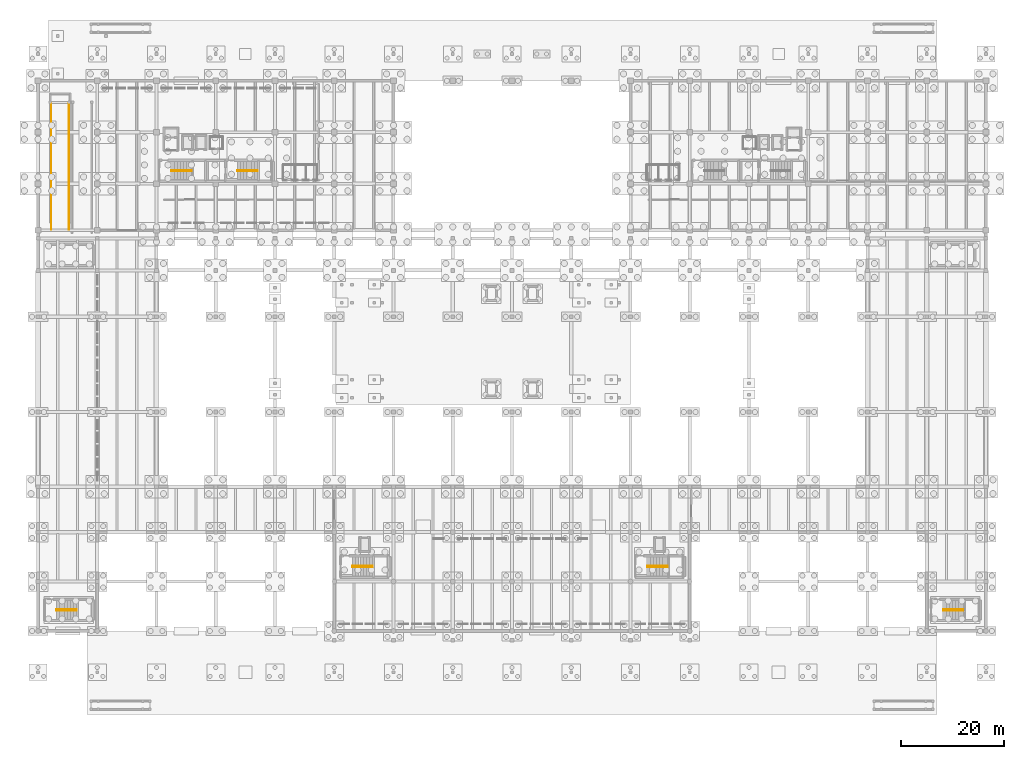
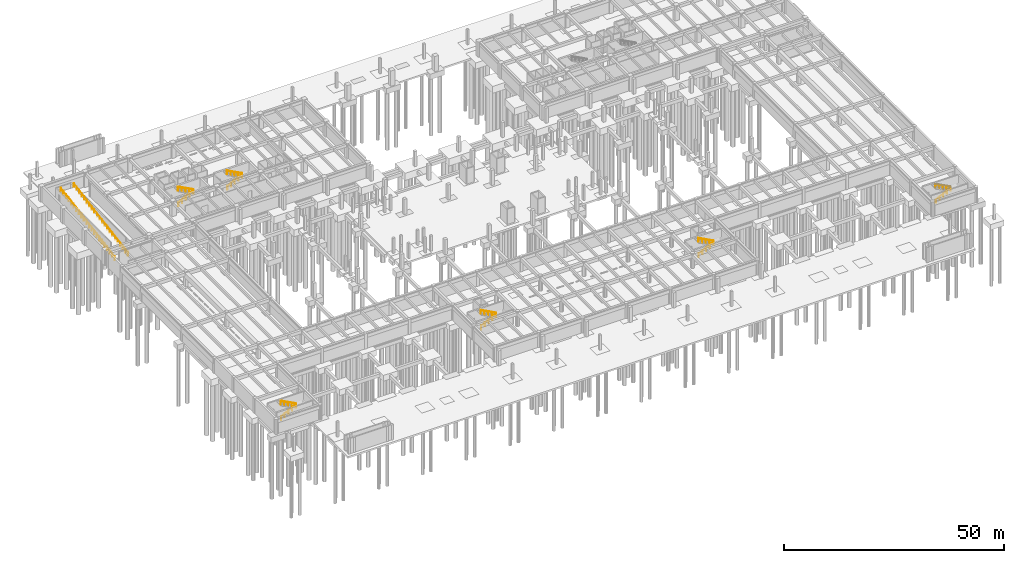
# One storey, part 26 of 28: 19 railings.
"""IFC4 building model written with IfcOpenShell, lengths in metres."""

from ifc_helpers import new_model, si_unit, direction, frame, origin, origin_2d, place, context, subcontext, project, spatial, circle, extrude, material, type_object, element, save


model = new_model("IFC4")

# Units and contexts
model_context = context("Model", 3, precision=1e-05, world=origin(), true_north=direction((0.0, 1.0)))
body_context = subcontext(model_context, "Body", "Model", "MODEL_VIEW")
ifc_project = project(units=[si_unit("LENGTHUNIT", "METRE"), si_unit("AREAUNIT", "SQUARE_METRE"), si_unit("VOLUMEUNIT", "CUBIC_METRE"), si_unit("PLANEANGLEUNIT", "RADIAN"), si_unit("MASSUNIT", "GRAM", prefix="KILO")], contexts=[model_context])

# Site, building, storey
site_placement = place(None, origin())
site = spatial("IfcSite", under=ifc_project, at=site_placement, CompositionType="ELEMENT")
building_placement = place(site_placement, origin())
building = spatial("IfcBuilding", under=site, at=building_placement, Name="Ologun Quay Terminus", CompositionType="ELEMENT")
storey_placement = place(building_placement, frame((0.0, 0.0, -8.39990234375)))
storey = spatial("IfcBuildingStorey", under=building, at=storey_placement, Name="B02", CompositionType="ELEMENT", Elevation=-8.39990234375)

# Railings
ifc_material_1 = material(Name="Steel S355", Category="steel")
railing_type_1 = type_object("IfcRailingType", Name="Stair & Landing Steel Guardrail 1100", PredefinedType="GUARDRAIL", material=ifc_material_1)
railing_1_placement = place(storey_placement, frame((25.85009765625, 97.25, 0.0)))
element("IfcRailing", 1, at=railing_1_placement, inside=storey, type_object=railing_type_1, Name="GR-ST Stair Inner Well Guard ST-W1 B02", PredefinedType="GUARDRAIL", context=body_context, shape_type="SweptSolid", body=[
    extrude(circle(Radius=0.02392578125, at=origin_2d()), frame((0.0, 0.0, 1.076171875), z_axis=(0.881990178689, 0.0, 0.471267784488), x_axis=(0.0, 1.0, 0.0)), (0.0, 0.0, 1.0), 4.455810546875),
    extrude(circle(Radius=0.02392578125, at=origin_2d()), frame((3.929931640625, 0.0, 3.17578125), z_axis=(0.0, 1.0, 0.0), x_axis=(-1.0, 0.0, 0.0)), (0.0, 0.0, 1.0), 0.199951171875),
    extrude(circle(Radius=0.02392578125, at=origin_2d()), frame((3.929931640625, 0.199951171875, 3.17578125), z_axis=(-0.881967403671, 0.0, 0.471310406062), x_axis=(0.0, -1.0, 0.0)), (0.0, 0.0, 1.0), 4.455810546875),
    extrude(circle(Radius=0.02099609375, at=origin_2d()), origin(), (0.0, 0.0, 1.0), 1.052001953125),
    extrude(circle(Radius=0.02099609375, at=origin_2d()), frame((0.982421875, 0.0, 0.52490234375)), (0.0, 0.0, 1.0), 1.052001953125),
    extrude(circle(Radius=0.02099609375, at=origin_2d()), frame((1.96484375, 0.0, 1.0498046875)), (0.0, 0.0, 1.0), 1.052001953125),
    extrude(circle(Radius=0.02099609375, at=origin_2d()), frame((2.947509765625, 0.0, 1.574951171875)), (0.0, 0.0, 1.0), 1.052001953125),
    extrude(circle(Radius=0.02099609375, at=origin_2d()), frame((3.929931640625, 0.0, 2.099853515625)), (0.0, 0.0, 1.0), 1.052001953125),
    extrude(circle(Radius=0.02099609375, at=origin_2d()), frame((3.929931640625, 0.199951171875, 2.099853515625)), (0.0, 0.0, 1.0), 1.052001953125),
    extrude(circle(Radius=0.02099609375, at=origin_2d()), frame((2.947509765625, 0.199951171875, 2.625)), (0.0, 0.0, 1.0), 1.052001953125),
    extrude(circle(Radius=0.02099609375, at=origin_2d()), frame((1.96484375, 0.199951171875, 3.14990234375)), (0.0, 0.0, 1.0), 1.052001953125),
    extrude(circle(Radius=0.02099609375, at=origin_2d()), frame((0.982421875, 0.199951171875, 3.6748046875)), (0.0, 0.0, 1.0), 1.052001953125),
    extrude(circle(Radius=0.02099609375, at=origin_2d()), frame((0.0, 0.199951171875, 4.199951171875)), (0.0, 0.0, 1.0), 1.052001953125),
])
railing_2_placement = place(storey_placement, frame((38.699951171875, 97.25, 0.0)))
element("IfcRailing", 2, at=railing_2_placement, inside=storey, type_object=railing_type_1, Name="GR-ST Stair Inner Well Guard ST-W2 B02", PredefinedType="GUARDRAIL", context=body_context, shape_type="SweptSolid", body=[
    extrude(circle(Radius=0.02392578125, at=origin_2d()), frame((0.0, 0.0, 1.076171875), z_axis=(0.881990178689, 0.0, 0.471267784488), x_axis=(0.0, 1.0, 0.0)), (0.0, 0.0, 1.0), 4.455810546875),
    extrude(circle(Radius=0.02392578125, at=origin_2d()), frame((3.929931640625, 0.0, 3.17578125), z_axis=(0.0, 1.0, 0.0), x_axis=(-1.0, 0.0, 0.0)), (0.0, 0.0, 1.0), 0.199951171875),
    extrude(circle(Radius=0.02392578125, at=origin_2d()), frame((3.929931640625, 0.199951171875, 3.17578125), z_axis=(-0.881967403671, 0.0, 0.471310406062), x_axis=(0.0, -1.0, 0.0)), (0.0, 0.0, 1.0), 4.455810546875),
    extrude(circle(Radius=0.02099609375, at=origin_2d()), origin(), (0.0, 0.0, 1.0), 1.052001953125),
    extrude(circle(Radius=0.02099609375, at=origin_2d()), frame((0.982421875, 0.0, 0.52490234375)), (0.0, 0.0, 1.0), 1.052001953125),
    extrude(circle(Radius=0.02099609375, at=origin_2d()), frame((1.96484375, 0.0, 1.0498046875)), (0.0, 0.0, 1.0), 1.052001953125),
    extrude(circle(Radius=0.02099609375, at=origin_2d()), frame((2.947509765625, 0.0, 1.574951171875)), (0.0, 0.0, 1.0), 1.052001953125),
    extrude(circle(Radius=0.02099609375, at=origin_2d()), frame((3.929931640625, 0.0, 2.099853515625)), (0.0, 0.0, 1.0), 1.052001953125),
    extrude(circle(Radius=0.02099609375, at=origin_2d()), frame((3.929931640625, 0.199951171875, 2.099853515625)), (0.0, 0.0, 1.0), 1.052001953125),
    extrude(circle(Radius=0.02099609375, at=origin_2d()), frame((2.947509765625, 0.199951171875, 2.625)), (0.0, 0.0, 1.0), 1.052001953125),
    extrude(circle(Radius=0.02099609375, at=origin_2d()), frame((1.96484375, 0.199951171875, 3.14990234375)), (0.0, 0.0, 1.0), 1.052001953125),
    extrude(circle(Radius=0.02099609375, at=origin_2d()), frame((0.982421875, 0.199951171875, 3.6748046875)), (0.0, 0.0, 1.0), 1.052001953125),
    extrude(circle(Radius=0.02099609375, at=origin_2d()), frame((0.0, 0.199951171875, 4.199951171875)), (0.0, 0.0, 1.0), 1.052001953125),
])
railing_3_placement = place(storey_placement, frame((3.60009765625, 12.0, 0.0)))
element("IfcRailing", 3, at=railing_3_placement, inside=storey, type_object=railing_type_1, Name="GR-ST Stair Inner Well Guard ST-S1 B02", PredefinedType="GUARDRAIL", context=body_context, shape_type="SweptSolid", body=[
    extrude(circle(Radius=0.02392578125, at=origin_2d()), frame((0.0, 0.0, 1.076171875), z_axis=(0.881990178689, 0.0, 0.471267784488), x_axis=(0.0, 1.0, 0.0)), (0.0, 0.0, 1.0), 4.455810546875),
    extrude(circle(Radius=0.02392578125, at=origin_2d()), frame((3.929931640625, 0.0, 3.17578125), z_axis=(0.0, 1.0, 0.0), x_axis=(-1.0, 0.0, 0.0)), (0.0, 0.0, 1.0), 0.199951171875),
    extrude(circle(Radius=0.02392578125, at=origin_2d()), frame((3.929931640625, 0.199951171875, 3.17578125), z_axis=(-0.881967403671, 0.0, 0.471310406062), x_axis=(0.0, -1.0, 0.0)), (0.0, 0.0, 1.0), 4.455810546875),
    extrude(circle(Radius=0.02099609375, at=origin_2d()), origin(), (0.0, 0.0, 1.0), 1.052001953125),
    extrude(circle(Radius=0.02099609375, at=origin_2d()), frame((0.982421875, 0.0, 0.52490234375)), (0.0, 0.0, 1.0), 1.052001953125),
    extrude(circle(Radius=0.02099609375, at=origin_2d()), frame((1.96484375, 0.0, 1.0498046875)), (0.0, 0.0, 1.0), 1.052001953125),
    extrude(circle(Radius=0.02099609375, at=origin_2d()), frame((2.947509765625, 0.0, 1.574951171875)), (0.0, 0.0, 1.0), 1.052001953125),
    extrude(circle(Radius=0.02099609375, at=origin_2d()), frame((3.929931640625, 0.0, 2.099853515625)), (0.0, 0.0, 1.0), 1.052001953125),
    extrude(circle(Radius=0.02099609375, at=origin_2d()), frame((3.929931640625, 0.199951171875, 2.099853515625)), (0.0, 0.0, 1.0), 1.052001953125),
    extrude(circle(Radius=0.02099609375, at=origin_2d()), frame((2.947509765625, 0.199951171875, 2.625)), (0.0, 0.0, 1.0), 1.052001953125),
    extrude(circle(Radius=0.02099609375, at=origin_2d()), frame((1.96484375, 0.199951171875, 3.14990234375)), (0.0, 0.0, 1.0), 1.052001953125),
    extrude(circle(Radius=0.02099609375, at=origin_2d()), frame((0.982421875, 0.199951171875, 3.6748046875)), (0.0, 0.0, 1.0), 1.052001953125),
    extrude(circle(Radius=0.02099609375, at=origin_2d()), frame((0.0, 0.199951171875, 4.199951171875)), (0.0, 0.0, 1.0), 1.052001953125),
])
railing_4_placement = place(storey_placement, frame((61.050048828125, 20.39990234375, 0.0)))
element("IfcRailing", 4, at=railing_4_placement, inside=storey, type_object=railing_type_1, Name="GR-ST Stair Inner Well Guard ST-S3 B02", PredefinedType="GUARDRAIL", context=body_context, shape_type="SweptSolid", body=[
    extrude(circle(Radius=0.02392578125, at=origin_2d()), frame((0.0, 0.0, 1.076171875), z_axis=(0.881990178689, 0.0, 0.471267784488), x_axis=(0.0, 1.0, 0.0)), (0.0, 0.0, 1.0), 4.455810546875),
    extrude(circle(Radius=0.02392578125, at=origin_2d()), frame((3.929931640625, 0.0, 3.17578125), z_axis=(0.0, 1.0, 0.0), x_axis=(-1.0, 0.0, 0.0)), (0.0, 0.0, 1.0), 0.2001953125),
    extrude(circle(Radius=0.02392578125, at=origin_2d()), frame((3.929931640625, 0.2001953125, 3.17578125), z_axis=(-0.881967403671, 0.0, 0.471310406062), x_axis=(0.0, -1.0, 0.0)), (0.0, 0.0, 1.0), 4.455810546875),
    extrude(circle(Radius=0.02099609375, at=origin_2d()), origin(), (0.0, 0.0, 1.0), 1.052001953125),
    extrude(circle(Radius=0.02099609375, at=origin_2d()), frame((0.982421875, 0.0, 0.52490234375)), (0.0, 0.0, 1.0), 1.052001953125),
    extrude(circle(Radius=0.02099609375, at=origin_2d()), frame((1.96484375, 0.0, 1.0498046875)), (0.0, 0.0, 1.0), 1.052001953125),
    extrude(circle(Radius=0.02099609375, at=origin_2d()), frame((2.947509765625, 0.0, 1.574951171875)), (0.0, 0.0, 1.0), 1.052001953125),
    extrude(circle(Radius=0.02099609375, at=origin_2d()), frame((3.929931640625, 0.0, 2.099853515625)), (0.0, 0.0, 1.0), 1.052001953125),
    extrude(circle(Radius=0.02099609375, at=origin_2d()), frame((3.929931640625, 0.2001953125, 2.099853515625)), (0.0, 0.0, 1.0), 1.052001953125),
    extrude(circle(Radius=0.02099609375, at=origin_2d()), frame((2.947509765625, 0.2001953125, 2.625)), (0.0, 0.0, 1.0), 1.052001953125),
    extrude(circle(Radius=0.02099609375, at=origin_2d()), frame((1.96484375, 0.2001953125, 3.14990234375)), (0.0, 0.0, 1.0), 1.052001953125),
    extrude(circle(Radius=0.02099609375, at=origin_2d()), frame((0.982421875, 0.2001953125, 3.6748046875)), (0.0, 0.0, 1.0), 1.052001953125),
    extrude(circle(Radius=0.02099609375, at=origin_2d()), frame((0.0, 0.2001953125, 4.199951171875)), (0.0, 0.0, 1.0), 1.052001953125),
])
railing_5_placement = place(storey_placement, frame((118.25, 20.39990234375, 0.0)))
element("IfcRailing", 5, at=railing_5_placement, inside=storey, type_object=railing_type_1, Name="GR-ST Stair Inner Well Guard ST-S4 B02", PredefinedType="GUARDRAIL", context=body_context, shape_type="SweptSolid", body=[
    extrude(circle(Radius=0.02392578125, at=origin_2d()), frame((0.0, 0.0, 1.076171875), z_axis=(0.881990178689, 0.0, 0.471267784488), x_axis=(0.0, 1.0, 0.0)), (0.0, 0.0, 1.0), 4.455810546875),
    extrude(circle(Radius=0.02392578125, at=origin_2d()), frame((3.929931640625, 0.0, 3.17578125), z_axis=(0.0, 1.0, 0.0), x_axis=(-1.0, 0.0, 0.0)), (0.0, 0.0, 1.0), 0.2001953125),
    extrude(circle(Radius=0.02392578125, at=origin_2d()), frame((3.929931640625, 0.2001953125, 3.17578125), z_axis=(-0.881967403671, 0.0, 0.471310406062), x_axis=(0.0, -1.0, 0.0)), (0.0, 0.0, 1.0), 4.455810546875),
    extrude(circle(Radius=0.02099609375, at=origin_2d()), origin(), (0.0, 0.0, 1.0), 1.052001953125),
    extrude(circle(Radius=0.02099609375, at=origin_2d()), frame((0.982421875, 0.0, 0.52490234375)), (0.0, 0.0, 1.0), 1.052001953125),
    extrude(circle(Radius=0.02099609375, at=origin_2d()), frame((1.96484375, 0.0, 1.0498046875)), (0.0, 0.0, 1.0), 1.052001953125),
    extrude(circle(Radius=0.02099609375, at=origin_2d()), frame((2.947509765625, 0.0, 1.574951171875)), (0.0, 0.0, 1.0), 1.052001953125),
    extrude(circle(Radius=0.02099609375, at=origin_2d()), frame((3.929931640625, 0.0, 2.099853515625)), (0.0, 0.0, 1.0), 1.052001953125),
    extrude(circle(Radius=0.02099609375, at=origin_2d()), frame((3.929931640625, 0.2001953125, 2.099853515625)), (0.0, 0.0, 1.0), 1.052001953125),
    extrude(circle(Radius=0.02099609375, at=origin_2d()), frame((2.947509765625, 0.2001953125, 2.625)), (0.0, 0.0, 1.0), 1.052001953125),
    extrude(circle(Radius=0.02099609375, at=origin_2d()), frame((1.96484375, 0.2001953125, 3.14990234375)), (0.0, 0.0, 1.0), 1.052001953125),
    extrude(circle(Radius=0.02099609375, at=origin_2d()), frame((0.982421875, 0.2001953125, 3.6748046875)), (0.0, 0.0, 1.0), 1.052001953125),
    extrude(circle(Radius=0.02099609375, at=origin_2d()), frame((0.0, 0.2001953125, 4.199951171875)), (0.0, 0.0, 1.0), 1.052001953125),
])
railing_6_placement = place(storey_placement, frame((2.580078125, 85.919921875, 0.0)))
element("IfcRailing", 6, at=railing_6_placement, inside=storey, type_object=railing_type_1, Name="GR-ST Vehicle Ramp Edge Guard SLB-VRMP-B02-W", PredefinedType="GUARDRAIL", context=body_context, shape_type="SweptSolid", body=[
    extrude(circle(Radius=0.02392578125, at=origin_2d()), frame((0.0, 0.0, 1.076171875), z_axis=(0.0, 0.985657008386, 0.16876096059), x_axis=(-1.0, 0.0, 0.0)), (0.0, 0.0, 1.0), 24.886962890625),
    extrude(circle(Radius=0.02099609375, at=origin_2d()), origin(), (0.0, 0.0, 1.0), 1.052001953125),
    extrude(circle(Radius=0.02099609375, at=origin_2d()), frame((0.0, 1.168212890625, 0.199951171875)), (0.0, 0.0, 1.0), 1.052001953125),
    extrude(circle(Radius=0.02099609375, at=origin_2d()), frame((0.0, 2.336181640625, 0.39990234375)), (0.0, 0.0, 1.0), 1.052001953125),
    extrude(circle(Radius=0.02099609375, at=origin_2d()), frame((0.0, 3.50439453125, 0.60009765625)), (0.0, 0.0, 1.0), 1.052001953125),
    extrude(circle(Radius=0.02099609375, at=origin_2d()), frame((0.0, 4.67236328125, 0.800048828125)), (0.0, 0.0, 1.0), 1.052001953125),
    extrude(circle(Radius=0.02099609375, at=origin_2d()), frame((0.0, 5.840576171875, 1.0)), (0.0, 0.0, 1.0), 1.052001953125),
    extrude(circle(Radius=0.02099609375, at=origin_2d()), frame((0.0, 7.008544921875, 1.199951171875)), (0.0, 0.0, 1.0), 1.052001953125),
    extrude(circle(Radius=0.02099609375, at=origin_2d()), frame((0.0, 8.1767578125, 1.39990234375)), (0.0, 0.0, 1.0), 1.052001953125),
    extrude(circle(Radius=0.02099609375, at=origin_2d()), frame((0.0, 9.3447265625, 1.60009765625)), (0.0, 0.0, 1.0), 1.052001953125),
    extrude(circle(Radius=0.02099609375, at=origin_2d()), frame((0.0, 10.512939453125, 1.800048828125)), (0.0, 0.0, 1.0), 1.052001953125),
    extrude(circle(Radius=0.02099609375, at=origin_2d()), frame((0.0, 11.680908203125, 2.0)), (0.0, 0.0, 1.0), 1.052001953125),
    extrude(circle(Radius=0.02099609375, at=origin_2d()), frame((0.0, 12.84912109375, 2.199951171875)), (0.0, 0.0, 1.0), 1.052001953125),
    extrude(circle(Radius=0.02099609375, at=origin_2d()), frame((0.0, 14.01708984375, 2.39990234375)), (0.0, 0.0, 1.0), 1.052001953125),
    extrude(circle(Radius=0.02099609375, at=origin_2d()), frame((0.0, 15.185302734375, 2.599853515625)), (0.0, 0.0, 1.0), 1.052001953125),
    extrude(circle(Radius=0.02099609375, at=origin_2d()), frame((0.0, 16.353271484375, 2.800048828125)), (0.0, 0.0, 1.0), 1.052001953125),
    extrude(circle(Radius=0.02099609375, at=origin_2d()), frame((0.0, 17.521484375, 3.0)), (0.0, 0.0, 1.0), 1.052001953125),
    extrude(circle(Radius=0.02099609375, at=origin_2d()), frame((0.0, 18.689453125, 3.199951171875)), (0.0, 0.0, 1.0), 1.052001953125),
    extrude(circle(Radius=0.02099609375, at=origin_2d()), frame((0.0, 19.857666015625, 3.39990234375)), (0.0, 0.0, 1.0), 1.052001953125),
    extrude(circle(Radius=0.02099609375, at=origin_2d()), frame((0.0, 21.025634765625, 3.599853515625)), (0.0, 0.0, 1.0), 1.052001953125),
    extrude(circle(Radius=0.02099609375, at=origin_2d()), frame((0.0, 22.19384765625, 3.800048828125)), (0.0, 0.0, 1.0), 1.052001953125),
    extrude(circle(Radius=0.02099609375, at=origin_2d()), frame((0.0, 23.36181640625, 4.0)), (0.0, 0.0, 1.0), 1.052001953125),
    extrude(circle(Radius=0.02099609375, at=origin_2d()), frame((0.0, 24.530029296875, 4.199951171875)), (0.0, 0.0, 1.0), 1.052001953125),
])
railing_7_placement = place(storey_placement, frame((6.02001953125, 85.919921875, 0.0)))
element("IfcRailing", 7, at=railing_7_placement, inside=storey, type_object=railing_type_1, Name="GR-ST Vehicle Ramp Edge Guard SLB-VRMP-B02-E", PredefinedType="GUARDRAIL", context=body_context, shape_type="SweptSolid", body=[
    extrude(circle(Radius=0.02392578125, at=origin_2d()), frame((0.0, 0.0, 1.076171875), z_axis=(0.0, 0.985657008386, 0.16876096059), x_axis=(-1.0, 0.0, 0.0)), (0.0, 0.0, 1.0), 24.886962890625),
    extrude(circle(Radius=0.02099609375, at=origin_2d()), origin(), (0.0, 0.0, 1.0), 1.052001953125),
    extrude(circle(Radius=0.02099609375, at=origin_2d()), frame((0.0, 1.168212890625, 0.199951171875)), (0.0, 0.0, 1.0), 1.052001953125),
    extrude(circle(Radius=0.02099609375, at=origin_2d()), frame((0.0, 2.336181640625, 0.39990234375)), (0.0, 0.0, 1.0), 1.052001953125),
    extrude(circle(Radius=0.02099609375, at=origin_2d()), frame((0.0, 3.50439453125, 0.60009765625)), (0.0, 0.0, 1.0), 1.052001953125),
    extrude(circle(Radius=0.02099609375, at=origin_2d()), frame((0.0, 4.67236328125, 0.800048828125)), (0.0, 0.0, 1.0), 1.052001953125),
    extrude(circle(Radius=0.02099609375, at=origin_2d()), frame((0.0, 5.840576171875, 1.0)), (0.0, 0.0, 1.0), 1.052001953125),
    extrude(circle(Radius=0.02099609375, at=origin_2d()), frame((0.0, 7.008544921875, 1.199951171875)), (0.0, 0.0, 1.0), 1.052001953125),
    extrude(circle(Radius=0.02099609375, at=origin_2d()), frame((0.0, 8.1767578125, 1.39990234375)), (0.0, 0.0, 1.0), 1.052001953125),
    extrude(circle(Radius=0.02099609375, at=origin_2d()), frame((0.0, 9.3447265625, 1.60009765625)), (0.0, 0.0, 1.0), 1.052001953125),
    extrude(circle(Radius=0.02099609375, at=origin_2d()), frame((0.0, 10.512939453125, 1.800048828125)), (0.0, 0.0, 1.0), 1.052001953125),
    extrude(circle(Radius=0.02099609375, at=origin_2d()), frame((0.0, 11.680908203125, 2.0)), (0.0, 0.0, 1.0), 1.052001953125),
    extrude(circle(Radius=0.02099609375, at=origin_2d()), frame((0.0, 12.84912109375, 2.199951171875)), (0.0, 0.0, 1.0), 1.052001953125),
    extrude(circle(Radius=0.02099609375, at=origin_2d()), frame((0.0, 14.01708984375, 2.39990234375)), (0.0, 0.0, 1.0), 1.052001953125),
    extrude(circle(Radius=0.02099609375, at=origin_2d()), frame((0.0, 15.185302734375, 2.599853515625)), (0.0, 0.0, 1.0), 1.052001953125),
    extrude(circle(Radius=0.02099609375, at=origin_2d()), frame((0.0, 16.353271484375, 2.800048828125)), (0.0, 0.0, 1.0), 1.052001953125),
    extrude(circle(Radius=0.02099609375, at=origin_2d()), frame((0.0, 17.521484375, 3.0)), (0.0, 0.0, 1.0), 1.052001953125),
    extrude(circle(Radius=0.02099609375, at=origin_2d()), frame((0.0, 18.689453125, 3.199951171875)), (0.0, 0.0, 1.0), 1.052001953125),
    extrude(circle(Radius=0.02099609375, at=origin_2d()), frame((0.0, 19.857666015625, 3.39990234375)), (0.0, 0.0, 1.0), 1.052001953125),
    extrude(circle(Radius=0.02099609375, at=origin_2d()), frame((0.0, 21.025634765625, 3.599853515625)), (0.0, 0.0, 1.0), 1.052001953125),
    extrude(circle(Radius=0.02099609375, at=origin_2d()), frame((0.0, 22.19384765625, 3.800048828125)), (0.0, 0.0, 1.0), 1.052001953125),
    extrude(circle(Radius=0.02099609375, at=origin_2d()), frame((0.0, 23.36181640625, 4.0)), (0.0, 0.0, 1.0), 1.052001953125),
    extrude(circle(Radius=0.02099609375, at=origin_2d()), frame((0.0, 24.530029296875, 4.199951171875)), (0.0, 0.0, 1.0), 1.052001953125),
])
ifc_material_2 = material(Name="Steel S355", Category="steel")
railing_type_2 = type_object("IfcRailingType", Name="Stair Stainless Tubular Handrail 920", PredefinedType="HANDRAIL", material=ifc_material_2)
railing_8_placement = place(storey_placement, frame((25.85009765625, 97.239990234375, 0.14990234375)))
element("IfcRailing", 8, at=railing_8_placement, inside=storey, type_object=railing_type_2, Name="HR-ST Handrail ST-W1-F1 B02", PredefinedType="HANDRAIL", context=body_context, shape_type="SweptSolid", body=[
    extrude(circle(Radius=0.02392578125, at=origin_2d()), frame((0.0, 0.0, 0.89599609375), z_axis=(0.894427191, 0.0, 0.4472135955), x_axis=(0.0, 1.0, 0.0)), (0.0, 0.0, 1.0), 4.360107421875),
    extrude(circle(Radius=0.02099609375, at=origin_2d()), origin(), (0.0, 0.0, 1.0), 0.871826171875),
    extrude(circle(Radius=0.02099609375, at=origin_2d()), frame((0.97509765625, 0.0, 0.487548828125)), (0.0, 0.0, 1.0), 0.871826171875),
    extrude(circle(Radius=0.02099609375, at=origin_2d()), frame((1.949951171875, 0.0, 0.97509765625)), (0.0, 0.0, 1.0), 0.871826171875),
    extrude(circle(Radius=0.02099609375, at=origin_2d()), frame((2.9248046875, 0.0, 1.46240234375)), (0.0, 0.0, 1.0), 0.871826171875),
    extrude(circle(Radius=0.02099609375, at=origin_2d()), frame((3.89990234375, 0.0, 1.949951171875)), (0.0, 0.0, 1.0), 0.871826171875),
])
railing_9_placement = place(storey_placement, frame((29.75, 97.4599609375, 2.25)))
element("IfcRailing", 9, at=railing_9_placement, inside=storey, type_object=railing_type_2, Name="HR-ST Handrail ST-W1-F2 B02", PredefinedType="HANDRAIL", context=body_context, shape_type="SweptSolid", body=[
    extrude(circle(Radius=0.02392578125, at=origin_2d()), frame((0.0, 0.0, 0.89599609375), z_axis=(-0.894427191, 0.0, 0.4472135955), x_axis=(0.0, -1.0, 0.0)), (0.0, 0.0, 1.0), 4.360107421875),
    extrude(circle(Radius=0.02099609375, at=origin_2d()), origin(), (0.0, 0.0, 1.0), 0.871826171875),
    extrude(circle(Radius=0.02099609375, at=origin_2d()), frame((-0.97509765625, 0.0, 0.487548828125)), (0.0, 0.0, 1.0), 0.871826171875),
    extrude(circle(Radius=0.02099609375, at=origin_2d()), frame((-1.949951171875, 0.0, 0.97509765625)), (0.0, 0.0, 1.0), 0.871826171875),
    extrude(circle(Radius=0.02099609375, at=origin_2d()), frame((-2.9248046875, 0.0, 1.46240234375)), (0.0, 0.0, 1.0), 0.871826171875),
    extrude(circle(Radius=0.02099609375, at=origin_2d()), frame((-3.89990234375, 0.0, 1.949951171875)), (0.0, 0.0, 1.0), 0.871826171875),
])
railing_10_placement = place(storey_placement, frame((38.699951171875, 97.239990234375, 0.14990234375)))
element("IfcRailing", 10, at=railing_10_placement, inside=storey, type_object=railing_type_2, Name="HR-ST Handrail ST-W2-F1 B02", PredefinedType="HANDRAIL", context=body_context, shape_type="SweptSolid", body=[
    extrude(circle(Radius=0.02392578125, at=origin_2d()), frame((0.0, 0.0, 0.89599609375), z_axis=(0.894438388696, 0.0, 0.447191199406), x_axis=(0.0, 1.0, 0.0)), (0.0, 0.0, 1.0), 4.3603515625),
    extrude(circle(Radius=0.02099609375, at=origin_2d()), origin(), (0.0, 0.0, 1.0), 0.871826171875),
    extrude(circle(Radius=0.02099609375, at=origin_2d()), frame((0.97509765625, 0.0, 0.487548828125)), (0.0, 0.0, 1.0), 0.871826171875),
    extrude(circle(Radius=0.02099609375, at=origin_2d()), frame((1.9501953125, 0.0, 0.97509765625)), (0.0, 0.0, 1.0), 0.871826171875),
    extrude(circle(Radius=0.02099609375, at=origin_2d()), frame((2.925048828125, 0.0, 1.46240234375)), (0.0, 0.0, 1.0), 0.871826171875),
    extrude(circle(Radius=0.02099609375, at=origin_2d()), frame((3.900146484375, 0.0, 1.949951171875)), (0.0, 0.0, 1.0), 0.871826171875),
])
railing_11_placement = place(storey_placement, frame((42.60009765625, 97.4599609375, 2.25)))
element("IfcRailing", 11, at=railing_11_placement, inside=storey, type_object=railing_type_2, Name="HR-ST Handrail ST-W2-F2 B02", PredefinedType="HANDRAIL", context=body_context, shape_type="SweptSolid", body=[
    extrude(circle(Radius=0.02392578125, at=origin_2d()), frame((0.0, 0.0, 0.89599609375), z_axis=(-0.894438388696, 0.0, 0.447191199406), x_axis=(0.0, -1.0, 0.0)), (0.0, 0.0, 1.0), 4.3603515625),
    extrude(circle(Radius=0.02099609375, at=origin_2d()), origin(), (0.0, 0.0, 1.0), 0.871826171875),
    extrude(circle(Radius=0.02099609375, at=origin_2d()), frame((-0.97509765625, 0.0, 0.487548828125)), (0.0, 0.0, 1.0), 0.871826171875),
    extrude(circle(Radius=0.02099609375, at=origin_2d()), frame((-1.9501953125, 0.0, 0.97509765625)), (0.0, 0.0, 1.0), 0.871826171875),
    extrude(circle(Radius=0.02099609375, at=origin_2d()), frame((-2.925048828125, 0.0, 1.46240234375)), (0.0, 0.0, 1.0), 0.871826171875),
    extrude(circle(Radius=0.02099609375, at=origin_2d()), frame((-3.900146484375, 0.0, 1.949951171875)), (0.0, 0.0, 1.0), 0.871826171875),
])
railing_12_placement = place(storey_placement, frame((3.60009765625, 11.989990234375, 0.14990234375)))
element("IfcRailing", 12, at=railing_12_placement, inside=storey, type_object=railing_type_2, Name="HR-ST Handrail ST-S1-F1 B02", PredefinedType="HANDRAIL", context=body_context, shape_type="SweptSolid", body=[
    extrude(circle(Radius=0.02392578125, at=origin_2d()), frame((0.0, 0.0, 0.89599609375), z_axis=(0.894427191, 0.0, 0.4472135955), x_axis=(0.0, 1.0, 0.0)), (0.0, 0.0, 1.0), 4.360107421875),
    extrude(circle(Radius=0.02099609375, at=origin_2d()), origin(), (0.0, 0.0, 1.0), 0.871826171875),
    extrude(circle(Radius=0.02099609375, at=origin_2d()), frame((0.97509765625, 0.0, 0.487548828125)), (0.0, 0.0, 1.0), 0.871826171875),
    extrude(circle(Radius=0.02099609375, at=origin_2d()), frame((1.949951171875, 0.0, 0.97509765625)), (0.0, 0.0, 1.0), 0.871826171875),
    extrude(circle(Radius=0.02099609375, at=origin_2d()), frame((2.9248046875, 0.0, 1.46240234375)), (0.0, 0.0, 1.0), 0.871826171875),
    extrude(circle(Radius=0.02099609375, at=origin_2d()), frame((3.89990234375, 0.0, 1.949951171875)), (0.0, 0.0, 1.0), 0.871826171875),
])
railing_13_placement = place(storey_placement, frame((7.5, 12.2099609375, 2.25)))
element("IfcRailing", 13, at=railing_13_placement, inside=storey, type_object=railing_type_2, Name="HR-ST Handrail ST-S1-F2 B02", PredefinedType="HANDRAIL", context=body_context, shape_type="SweptSolid", body=[
    extrude(circle(Radius=0.02392578125, at=origin_2d()), frame((0.0, 0.0, 0.89599609375), z_axis=(-0.894427191, 0.0, 0.4472135955), x_axis=(0.0, -1.0, 0.0)), (0.0, 0.0, 1.0), 4.360107421875),
    extrude(circle(Radius=0.02099609375, at=origin_2d()), origin(), (0.0, 0.0, 1.0), 0.871826171875),
    extrude(circle(Radius=0.02099609375, at=origin_2d()), frame((-0.97509765625, 0.0, 0.487548828125)), (0.0, 0.0, 1.0), 0.871826171875),
    extrude(circle(Radius=0.02099609375, at=origin_2d()), frame((-1.949951171875, 0.0, 0.97509765625)), (0.0, 0.0, 1.0), 0.871826171875),
    extrude(circle(Radius=0.02099609375, at=origin_2d()), frame((-2.9248046875, 0.0, 1.46240234375)), (0.0, 0.0, 1.0), 0.871826171875),
    extrude(circle(Radius=0.02099609375, at=origin_2d()), frame((-3.89990234375, 0.0, 1.949951171875)), (0.0, 0.0, 1.0), 0.871826171875),
])
railing_14_placement = place(storey_placement, frame((175.699951171875, 11.989990234375, 0.14990234375)))
element("IfcRailing", 14, at=railing_14_placement, inside=storey, type_object=railing_type_2, Name="HR-ST Handrail ST-S2-F1 B02", PredefinedType="HANDRAIL", context=body_context, shape_type="SweptSolid", body=[
    extrude(circle(Radius=0.02392578125, at=origin_2d()), frame((0.0, 0.0, 0.89599609375), z_axis=(0.894438388696, 0.0, 0.447191199406), x_axis=(0.0, 1.0, 0.0)), (0.0, 0.0, 1.0), 4.3603515625),
    extrude(circle(Radius=0.02099609375, at=origin_2d()), origin(), (0.0, 0.0, 1.0), 0.871826171875),
    extrude(circle(Radius=0.02099609375, at=origin_2d()), frame((0.97509765625, 0.0, 0.487548828125)), (0.0, 0.0, 1.0), 0.871826171875),
    extrude(circle(Radius=0.02099609375, at=origin_2d()), frame((1.9501953125, 0.0, 0.97509765625)), (0.0, 0.0, 1.0), 0.871826171875),
    extrude(circle(Radius=0.02099609375, at=origin_2d()), frame((2.925048828125, 0.0, 1.46240234375)), (0.0, 0.0, 1.0), 0.871826171875),
    extrude(circle(Radius=0.02099609375, at=origin_2d()), frame((3.900146484375, 0.0, 1.949951171875)), (0.0, 0.0, 1.0), 0.871826171875),
])
railing_15_placement = place(storey_placement, frame((179.60009765625, 12.2099609375, 2.25)))
element("IfcRailing", 15, at=railing_15_placement, inside=storey, type_object=railing_type_2, Name="HR-ST Handrail ST-S2-F2 B02", PredefinedType="HANDRAIL", context=body_context, shape_type="SweptSolid", body=[
    extrude(circle(Radius=0.02392578125, at=origin_2d()), frame((0.0, 0.0, 0.89599609375), z_axis=(-0.894438388696, 0.0, 0.447191199406), x_axis=(0.0, -1.0, 0.0)), (0.0, 0.0, 1.0), 4.3603515625),
    extrude(circle(Radius=0.02099609375, at=origin_2d()), origin(), (0.0, 0.0, 1.0), 0.871826171875),
    extrude(circle(Radius=0.02099609375, at=origin_2d()), frame((-0.97509765625, 0.0, 0.487548828125)), (0.0, 0.0, 1.0), 0.871826171875),
    extrude(circle(Radius=0.02099609375, at=origin_2d()), frame((-1.9501953125, 0.0, 0.97509765625)), (0.0, 0.0, 1.0), 0.871826171875),
    extrude(circle(Radius=0.02099609375, at=origin_2d()), frame((-2.925048828125, 0.0, 1.46240234375)), (0.0, 0.0, 1.0), 0.871826171875),
    extrude(circle(Radius=0.02099609375, at=origin_2d()), frame((-3.900146484375, 0.0, 1.949951171875)), (0.0, 0.0, 1.0), 0.871826171875),
])
railing_16_placement = place(storey_placement, frame((61.050048828125, 20.389892578125, 0.14990234375)))
element("IfcRailing", 16, at=railing_16_placement, inside=storey, type_object=railing_type_2, Name="HR-ST Handrail ST-S3-F1 B02", PredefinedType="HANDRAIL", context=body_context, shape_type="SweptSolid", body=[
    extrude(circle(Radius=0.02392578125, at=origin_2d()), frame((0.0, 0.0, 0.89599609375), z_axis=(0.894427191, 0.0, 0.4472135955), x_axis=(0.0, 1.0, 0.0)), (0.0, 0.0, 1.0), 4.360107421875),
    extrude(circle(Radius=0.02099609375, at=origin_2d()), origin(), (0.0, 0.0, 1.0), 0.871826171875),
    extrude(circle(Radius=0.02099609375, at=origin_2d()), frame((0.97509765625, 0.0, 0.487548828125)), (0.0, 0.0, 1.0), 0.871826171875),
    extrude(circle(Radius=0.02099609375, at=origin_2d()), frame((1.949951171875, 0.0, 0.97509765625)), (0.0, 0.0, 1.0), 0.871826171875),
    extrude(circle(Radius=0.02099609375, at=origin_2d()), frame((2.9248046875, 0.0, 1.46240234375)), (0.0, 0.0, 1.0), 0.871826171875),
    extrude(circle(Radius=0.02099609375, at=origin_2d()), frame((3.89990234375, 0.0, 1.949951171875)), (0.0, 0.0, 1.0), 0.871826171875),
])
railing_17_placement = place(storey_placement, frame((64.949951171875, 20.610107421875, 2.25)))
element("IfcRailing", 17, at=railing_17_placement, inside=storey, type_object=railing_type_2, Name="HR-ST Handrail ST-S3-F2 B02", PredefinedType="HANDRAIL", context=body_context, shape_type="SweptSolid", body=[
    extrude(circle(Radius=0.02392578125, at=origin_2d()), frame((0.0, 0.0, 0.89599609375), z_axis=(-0.894427191, 0.0, 0.4472135955), x_axis=(0.0, -1.0, 0.0)), (0.0, 0.0, 1.0), 4.360107421875),
    extrude(circle(Radius=0.02099609375, at=origin_2d()), origin(), (0.0, 0.0, 1.0), 0.871826171875),
    extrude(circle(Radius=0.02099609375, at=origin_2d()), frame((-0.97509765625, 0.0, 0.487548828125)), (0.0, 0.0, 1.0), 0.871826171875),
    extrude(circle(Radius=0.02099609375, at=origin_2d()), frame((-1.949951171875, 0.0, 0.97509765625)), (0.0, 0.0, 1.0), 0.871826171875),
    extrude(circle(Radius=0.02099609375, at=origin_2d()), frame((-2.9248046875, 0.0, 1.46240234375)), (0.0, 0.0, 1.0), 0.871826171875),
    extrude(circle(Radius=0.02099609375, at=origin_2d()), frame((-3.89990234375, 0.0, 1.949951171875)), (0.0, 0.0, 1.0), 0.871826171875),
])
railing_18_placement = place(storey_placement, frame((118.25, 20.389892578125, 0.14990234375)))
element("IfcRailing", 18, at=railing_18_placement, inside=storey, type_object=railing_type_2, Name="HR-ST Handrail ST-S4-F1 B02", PredefinedType="HANDRAIL", context=body_context, shape_type="SweptSolid", body=[
    extrude(circle(Radius=0.02392578125, at=origin_2d()), frame((0.0, 0.0, 0.89599609375), z_axis=(0.894427191, 0.0, 0.4472135955), x_axis=(0.0, 1.0, 0.0)), (0.0, 0.0, 1.0), 4.360107421875),
    extrude(circle(Radius=0.02099609375, at=origin_2d()), origin(), (0.0, 0.0, 1.0), 0.871826171875),
    extrude(circle(Radius=0.02099609375, at=origin_2d()), frame((0.97509765625, 0.0, 0.487548828125)), (0.0, 0.0, 1.0), 0.871826171875),
    extrude(circle(Radius=0.02099609375, at=origin_2d()), frame((1.949951171875, 0.0, 0.97509765625)), (0.0, 0.0, 1.0), 0.871826171875),
    extrude(circle(Radius=0.02099609375, at=origin_2d()), frame((2.9248046875, 0.0, 1.46240234375)), (0.0, 0.0, 1.0), 0.871826171875),
    extrude(circle(Radius=0.02099609375, at=origin_2d()), frame((3.89990234375, 0.0, 1.949951171875)), (0.0, 0.0, 1.0), 0.871826171875),
])
railing_19_placement = place(storey_placement, frame((122.14990234375, 20.610107421875, 2.25)))
element("IfcRailing", 19, at=railing_19_placement, inside=storey, type_object=railing_type_2, Name="HR-ST Handrail ST-S4-F2 B02", PredefinedType="HANDRAIL", context=body_context, shape_type="SweptSolid", body=[
    extrude(circle(Radius=0.02392578125, at=origin_2d()), frame((0.0, 0.0, 0.89599609375), z_axis=(-0.894427191, 0.0, 0.4472135955), x_axis=(0.0, -1.0, 0.0)), (0.0, 0.0, 1.0), 4.360107421875),
    extrude(circle(Radius=0.02099609375, at=origin_2d()), origin(), (0.0, 0.0, 1.0), 0.871826171875),
    extrude(circle(Radius=0.02099609375, at=origin_2d()), frame((-0.97509765625, 0.0, 0.487548828125)), (0.0, 0.0, 1.0), 0.871826171875),
    extrude(circle(Radius=0.02099609375, at=origin_2d()), frame((-1.949951171875, 0.0, 0.97509765625)), (0.0, 0.0, 1.0), 0.871826171875),
    extrude(circle(Radius=0.02099609375, at=origin_2d()), frame((-2.9248046875, 0.0, 1.46240234375)), (0.0, 0.0, 1.0), 0.871826171875),
    extrude(circle(Radius=0.02099609375, at=origin_2d()), frame((-3.89990234375, 0.0, 1.949951171875)), (0.0, 0.0, 1.0), 0.871826171875),
])

save(model, "model.ifc")
